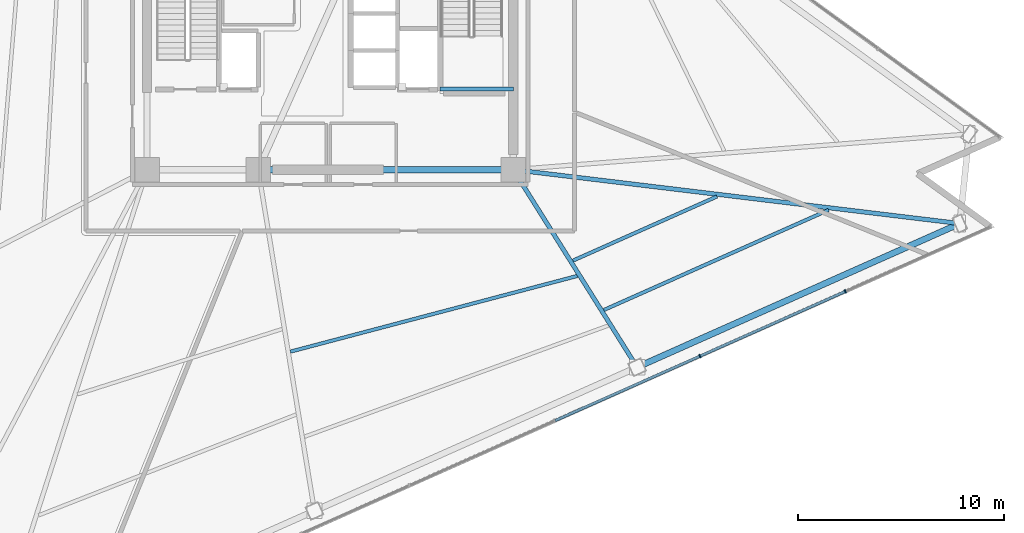
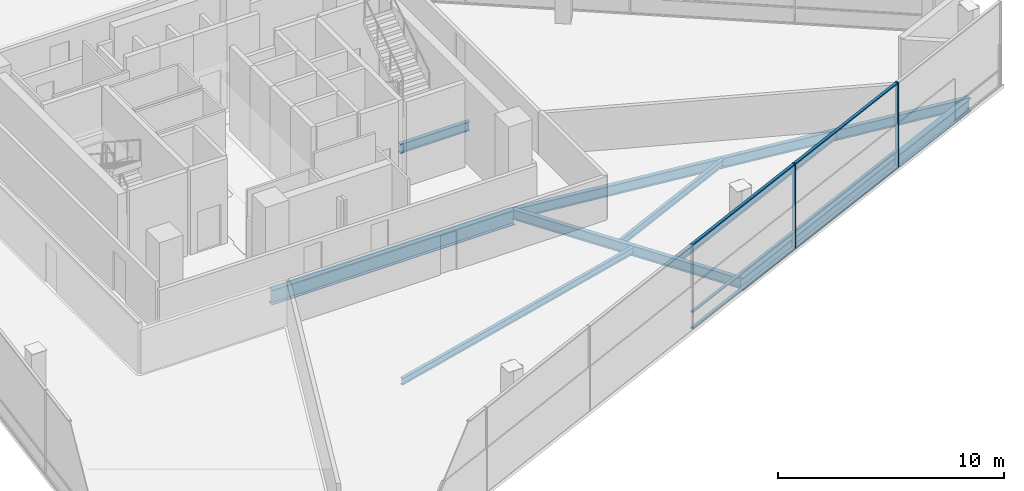
# One storey, part 5 of 18: 8 beams, 8 members, 1 element without a shape of its own.
"""IFC4 building model written with IfcOpenShell, lengths in metres."""

from ifc_helpers import new_model, si_unit, direction, frame, origin, origin_2d, place, context, subcontext, project, spatial, rectangle, i_section, extrude, material, layer, layer_set, material_profile, profile_set, type_object, element, aggregate, save


model = new_model("IFC4")

# Units and contexts
model_context = context("Model", 3, precision=1e-05, world=origin(), true_north=direction((0.0, 1.0)))
body_context = subcontext(model_context, "Body", "Model", "MODEL_VIEW")
ifc_project = project(units=[si_unit("LENGTHUNIT", "METRE"), si_unit("AREAUNIT", "SQUARE_METRE"), si_unit("VOLUMEUNIT", "CUBIC_METRE"), si_unit("PLANEANGLEUNIT", "RADIAN"), si_unit("MASSUNIT", "GRAM", prefix="KILO")], contexts=[model_context])

# Site, building, storey
site_placement = place(None, origin())
site = spatial("IfcSite", under=ifc_project, at=site_placement, CompositionType="ELEMENT")
building_placement = place(site_placement, origin())
building = spatial("IfcBuilding", under=site, at=building_placement, Name="Tharavind Bronze Gate", CompositionType="ELEMENT")
storey_placement = place(building_placement, frame((0.0, 0.0, 134.050048828125)))
storey = spatial("IfcBuildingStorey", under=building, at=storey_placement, Name="L34", CompositionType="ELEMENT", Elevation=134.050048828125)

# Curtain wall, members
ifc_material_1 = material(Name="Anodised Bronze Aluminium", Category="aluminium")
ifc_layer = layer(ifc_material_1, 0.219970703125)
ifc_layer_set = layer_set([ifc_layer], Name="Anodised Bronze Aluminium")
curtain_wall_type = type_object("IfcCurtainWallType", Name="UNITISED CURTAIN WALL LOWER OFFICE", PredefinedType="USERDEFINED", material=ifc_layer_set)
curtain_wall_placement = place(storey_placement, origin())
curtain_wall = element("IfcCurtainWall", 1, at=curtain_wall_placement, inside=storey, type_object=curtain_wall_type, Name="L34 unitised curtain wall lower office CW-L34-S2", ObjectType="UNITISED CURTAIN WALL", PredefinedType="USERDEFINED")
member_type_1 = type_object("IfcMemberType", Name="CURTAIN WALL BRONZE MULLION 65X180", PredefinedType="MULLION", material=ifc_material_1)
member_1_placement = place(storey_placement, frame((17.9755859375, -16.664306640625, 0.0), z_axis=(0.0, 0.0, 1.0), x_axis=(0.913545457643, 0.406736643076, 0.0)))
member_1 = element("IfcMember", 2, at=member_1_placement, type_object=member_type_1, Name="CW-L34-S2 mullion 6", PredefinedType="MULLION", context=body_context, shape_type="SweptSolid", body=[
    extrude(rectangle(XDim=0.06494140625, YDim=0.179931640625, at=origin_2d()), origin(), (0.0, 0.0, 1.0), 4.56005859375),
])
member_2_placement = place(storey_placement, frame((25.03759765625, -13.520263671875, 0.0), z_axis=(0.0, 0.0, 1.0), x_axis=(0.913545457643, 0.406736643076, 0.0)))
member_2 = element("IfcMember", 3, at=member_2_placement, type_object=member_type_1, Name="CW-L34-S2 mullion 7", PredefinedType="MULLION", context=body_context, shape_type="SweptSolid", body=[
    extrude(rectangle(XDim=0.06494140625, YDim=0.179931640625, at=origin_2d()), origin(), (0.0, 0.0, 1.0), 4.56005859375),
])
member_type_2 = type_object("IfcMemberType", Name="CURTAIN WALL BRONZE TRANSOM 65X140", PredefinedType="USERDEFINED", material=ifc_material_1)
member_3_placement = place(storey_placement, frame((14.4443359375, -18.236572265625, 0.0), z_axis=(0.0, 0.0, 1.0), x_axis=(0.913545457643, 0.406736643076, 0.0)))
member_3 = element("IfcMember", 4, at=member_3_placement, type_object=member_type_2, Name="CW-L34-S2 transom TB5", ObjectType="TRANSOM", PredefinedType="USERDEFINED", context=body_context, shape_type="SweptSolid", body=[
    extrude(rectangle(XDim=7.677490234375, YDim=0.139892578125, at=origin_2d()), origin(), (0.0, 0.0, 1.0), 0.06494140625),
])
member_4_placement = place(storey_placement, frame((14.4443359375, -18.236572265625, 0.867431640625), z_axis=(0.0, 0.0, 1.0), x_axis=(0.913545457643, 0.406736643076, 0.0)))
member_4 = element("IfcMember", 5, at=member_4_placement, type_object=member_type_2, Name="CW-L34-S2 transom TS5", ObjectType="TRANSOM", PredefinedType="USERDEFINED", context=body_context, shape_type="SweptSolid", body=[
    extrude(rectangle(XDim=7.677490234375, YDim=0.139892578125, at=origin_2d()), origin(), (0.0, 0.0, 1.0), 0.06494140625),
])
member_5_placement = place(storey_placement, frame((14.4443359375, -18.236572265625, 4.494873046875), z_axis=(0.0, 0.0, 1.0), x_axis=(0.913545457643, 0.406736643076, 0.0)))
member_5 = element("IfcMember", 6, at=member_5_placement, type_object=member_type_2, Name="CW-L34-S2 transom TT5", ObjectType="TRANSOM", PredefinedType="USERDEFINED", context=body_context, shape_type="SweptSolid", body=[
    extrude(rectangle(XDim=7.677490234375, YDim=0.139892578125, at=origin_2d()), origin(), (0.0, 0.0, 1.0), 0.06494140625),
])
member_6_placement = place(storey_placement, frame((21.506591796875, -15.09228515625, 0.0), z_axis=(0.0, 0.0, 1.0), x_axis=(0.913545457643, 0.406736643076, 0.0)))
member_6 = element("IfcMember", 7, at=member_6_placement, type_object=member_type_2, Name="CW-L34-S2 transom TB6", ObjectType="TRANSOM", PredefinedType="USERDEFINED", context=body_context, shape_type="SweptSolid", body=[
    extrude(rectangle(XDim=7.677490234375, YDim=0.139892578125, at=origin_2d()), origin(), (0.0, 0.0, 1.0), 0.06494140625),
])
member_7_placement = place(storey_placement, frame((21.506591796875, -15.09228515625, 0.867431640625), z_axis=(0.0, 0.0, 1.0), x_axis=(0.913545457643, 0.406736643076, 0.0)))
member_7 = element("IfcMember", 8, at=member_7_placement, type_object=member_type_2, Name="CW-L34-S2 transom TS6", ObjectType="TRANSOM", PredefinedType="USERDEFINED", context=body_context, shape_type="SweptSolid", body=[
    extrude(rectangle(XDim=7.677490234375, YDim=0.139892578125, at=origin_2d()), origin(), (0.0, 0.0, 1.0), 0.06494140625),
])
member_8_placement = place(storey_placement, frame((21.506591796875, -15.09228515625, 4.494873046875), z_axis=(0.0, 0.0, 1.0), x_axis=(0.913545457643, 0.406736643076, 0.0)))
member_8 = element("IfcMember", 9, at=member_8_placement, type_object=member_type_2, Name="CW-L34-S2 transom TT6", ObjectType="TRANSOM", PredefinedType="USERDEFINED", context=body_context, shape_type="SweptSolid", body=[
    extrude(rectangle(XDim=7.677490234375, YDim=0.139892578125, at=origin_2d()), origin(), (0.0, 0.0, 1.0), 0.06494140625),
])
aggregate(curtain_wall, [member_1, member_2, member_3, member_4, member_5, member_6, member_7, member_8])

# Beams
ifc_material_2 = material(Name="Steel S355", Category="steel")
ifc_material_profile_1 = material_profile(ifc_material_2, i_section(OverallWidth=0.199951171875, OverallDepth=0.5, WebThickness=0.01025390625, FlangeThickness=0.01611328125, at=origin_2d()), Name="IPE500")
ifc_profile_set_1 = profile_set([ifc_material_profile_1], Name="Steel S355")
beam_type_1 = type_object("IfcBeamType", Name="PRIMARY GIRDER IPE500", PredefinedType="USERDEFINED", material=ifc_profile_set_1)
beam_1_placement = place(storey_placement, frame((5.35009765625, -3.679931640625, 1.925048828125), z_axis=(1.0, 0.0, 0.0), x_axis=(0.0, 1.0, 0.0)))
element("IfcBeam", 10, at=beam_1_placement, inside=storey, type_object=beam_type_1, Name="L34 primary girder ipe500 BM-LD-ST2-L34-1", ObjectType="GIRDER", PredefinedType="USERDEFINED", context=body_context, shape_type="SweptSolid", body=[
    extrude(i_section(OverallWidth=0.199951171875, OverallDepth=0.5, WebThickness=0.01025390625, FlangeThickness=0.01611328125, at=origin_2d()), origin(), (0.0, 0.0, 1.0), 3.5498046875),
])
ifc_material_profile_2 = material_profile(ifc_material_2, i_section(OverallWidth=0.2099609375, OverallDepth=0.550048828125, WebThickness=0.010986328125, FlangeThickness=0.01708984375, at=origin_2d()), Name="IPE550")
ifc_profile_set_2 = profile_set([ifc_material_profile_2], Name="Steel S355")
beam_type_2 = type_object("IfcBeamType", Name="PRIMARY GIRDER IPE550", PredefinedType="USERDEFINED", material=ifc_profile_set_2)
beam_2_placement = place(storey_placement, frame((14.9208984375, -17.20361328125, -0.465087890625), z_axis=(-0.531191038732, 0.84725207605, 0.0), x_axis=(-0.84725207605, -0.531191038732, 0.0)))
element("IfcBeam", 11, at=beam_2_placement, inside=storey, type_object=beam_type_2, Name="L34 primary girder ipe550 BM-L34-RAD07", ObjectType="GIRDER", PredefinedType="USERDEFINED", context=body_context, shape_type="SweptSolid", body=[
    extrude(i_section(OverallWidth=0.2099609375, OverallDepth=0.550048828125, WebThickness=0.010986328125, FlangeThickness=0.01708984375, at=origin_2d()), origin(), (0.0, 0.0, 1.0), 11.3349609375),
])
beam_3_placement = place(storey_placement, frame((30.60791015625, -10.218994140625, -0.465087890625), z_axis=(-0.992801245425, 0.119773482384, 0.0), x_axis=(-0.119773482384, -0.992801245425, 0.0)))
element("IfcBeam", 12, at=beam_3_placement, inside=storey, type_object=beam_type_2, Name="L34 primary girder ipe550 BM-L34-RAD08", ObjectType="GIRDER", PredefinedType="USERDEFINED", context=body_context, shape_type="SweptSolid", body=[
    extrude(i_section(OverallWidth=0.2099609375, OverallDepth=0.550048828125, WebThickness=0.010986328125, FlangeThickness=0.01708984375, at=origin_2d()), origin(), (0.0, 0.0, 1.0), 21.865478515625),
])
ifc_material_profile_3 = material_profile(ifc_material_2, i_section(OverallWidth=0.300048828125, OverallDepth=0.699951171875, WebThickness=0.01708984375, FlangeThickness=0.031982421875, at=origin_2d()), Name="HE700B")
ifc_profile_set_3 = profile_set([ifc_material_profile_3], Name="Steel S355")
beam_type_3 = type_object("IfcBeamType", Name="RING GIRDER HE700B", PredefinedType="USERDEFINED", material=ifc_profile_set_3)
beam_4_placement = place(storey_placement, frame((14.9208984375, -17.20361328125, -0.5400390625), z_axis=(0.913538716284, 0.406751784078, 0.0), x_axis=(-0.406751784078, 0.913538716284, 0.0)))
element("IfcBeam", 13, at=beam_4_placement, inside=storey, type_object=beam_type_3, Name="L34 ring girder he700b BM-L34-PRG07", ObjectType="GIRDER", PredefinedType="USERDEFINED", context=body_context, shape_type="SweptSolid", body=[
    extrude(i_section(OverallWidth=0.300048828125, OverallDepth=0.699951171875, WebThickness=0.01708984375, FlangeThickness=0.031982421875, at=origin_2d()), origin(), (0.0, 0.0, 1.0), 17.171630859375),
])
ifc_material_profile_4 = material_profile(ifc_material_2, i_section(OverallWidth=0.300048828125, OverallDepth=0.800048828125, WebThickness=0.017578125, FlangeThickness=0.032958984375, at=origin_2d()), Name="HE800B")
ifc_profile_set_4 = profile_set([ifc_material_profile_4], Name="Steel S355")
beam_type_4 = type_object("IfcBeamType", Name="RING GIRDER HE800B", PredefinedType="USERDEFINED", material=ifc_profile_set_4)
beam_5_placement = place(storey_placement, frame((-3.5, -7.60009765625, -0.590087890625), z_axis=(1.0, 0.0, 0.0), x_axis=(0.0, 1.0, 0.0)))
element("IfcBeam", 14, at=beam_5_placement, inside=storey, type_object=beam_type_4, Name="L34 ring girder he800b BM-L34-CR2", ObjectType="GIRDER", PredefinedType="USERDEFINED", context=body_context, shape_type="SweptSolid", body=[
    extrude(i_section(OverallWidth=0.300048828125, OverallDepth=0.800048828125, WebThickness=0.017578125, FlangeThickness=0.032958984375, at=origin_2d()), origin(), (0.0, 0.0, 1.0), 12.39990234375),
])
ifc_material_profile_5 = material_profile(ifc_material_2, i_section(OverallWidth=0.169921875, OverallDepth=0.360107421875, WebThickness=0.008056640625, FlangeThickness=0.0126953125, at=origin_2d()), Name="IPE360")
ifc_profile_set_5 = profile_set([ifc_material_profile_5], Name="Steel S355")
beam_type_5 = type_object("IfcBeamType", Name="SECONDARY FLOOR JOIST IPE360", PredefinedType="JOIST", material=ifc_profile_set_5)
beam_6_placement = place(storey_placement, frame((-1.931640625, -16.446533203125, -0.3701171875), z_axis=(0.966897979759, 0.255163274667, 0.0), x_axis=(-0.255163274667, 0.966897979759, 0.0)))
element("IfcBeam", 15, at=beam_6_placement, inside=storey, type_object=beam_type_5, Name="L34 secondary floor joist ipe360 BM-L34-JSTA06", PredefinedType="JOIST", context=body_context, shape_type="SweptSolid", body=[
    extrude(i_section(OverallWidth=0.169921875, OverallDepth=0.360107421875, WebThickness=0.008056640625, FlangeThickness=0.0126953125, at=origin_2d()), origin(), (0.0, 0.0, 1.0), 14.419921875),
])
beam_7_placement = place(storey_placement, frame((11.80029296875, -12.02099609375, -0.3701171875), z_axis=(0.913531613224, 0.406767736725, 0.0), x_axis=(-0.406767736725, 0.913531613224, 0.0)))
element("IfcBeam", 16, at=beam_7_placement, inside=storey, type_object=beam_type_5, Name="L34 secondary floor joist ipe360 BM-L34-JSTA07", PredefinedType="JOIST", context=body_context, shape_type="SweptSolid", body=[
    extrude(i_section(OverallWidth=0.169921875, OverallDepth=0.360107421875, WebThickness=0.008056640625, FlangeThickness=0.0126953125, at=origin_2d()), origin(), (0.0, 0.0, 1.0), 7.666259765625),
])
beam_8_placement = place(storey_placement, frame((13.305419921875, -14.421630859375, -0.3701171875), z_axis=(0.913552919098, 0.406719883959, 0.0), x_axis=(-0.406719883959, 0.913552919098, 0.0)))
element("IfcBeam", 17, at=beam_8_placement, inside=storey, type_object=beam_type_5, Name="L34 secondary floor joist ipe360 BM-L34-JSTB07", PredefinedType="JOIST", context=body_context, shape_type="SweptSolid", body=[
    extrude(i_section(OverallWidth=0.169921875, OverallDepth=0.360107421875, WebThickness=0.008056640625, FlangeThickness=0.0126953125, at=origin_2d()), origin(), (0.0, 0.0, 1.0), 11.959228515625),
])

save(model, "model.ifc")
